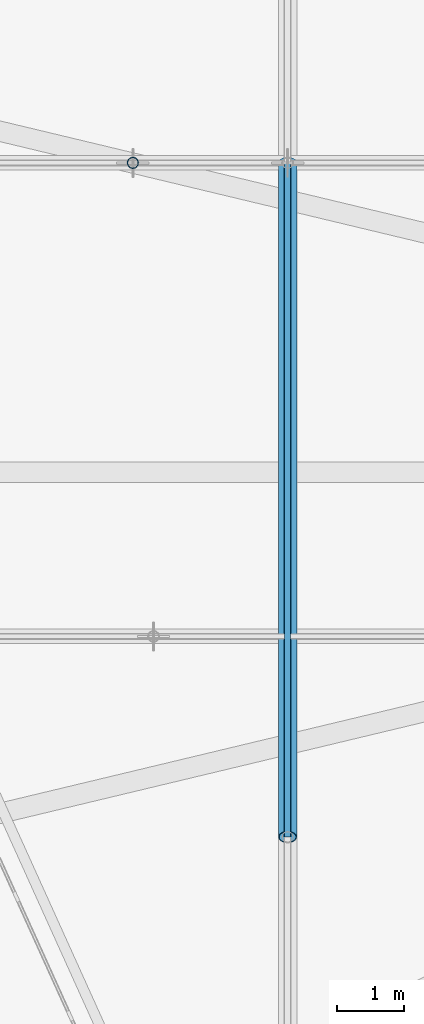
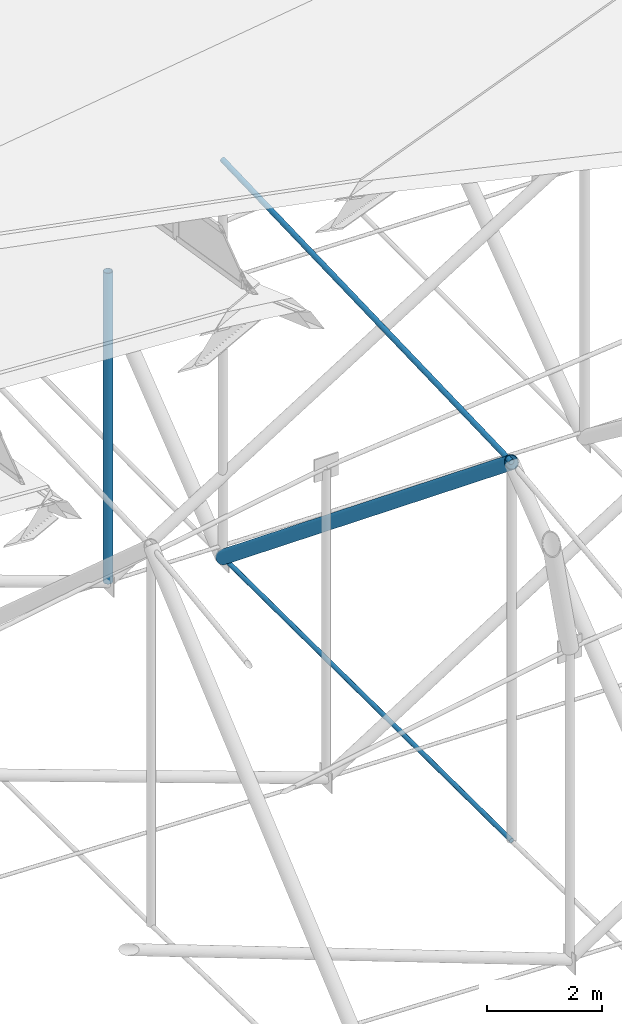
# One storey, part 40 of 173: 4 members.
"""IFC4 building model written with IfcOpenShell, lengths in metres."""

from ifc_helpers import new_model, si_unit, direction, frame, origin, origin_2d, place, context, subcontext, project, spatial, circle, hollow_circle, extrude, material, material_profile, profile_set, type_object, element, save


model = new_model("IFC4")

# Units and contexts
model_context = context("Model", 3, precision=1e-05, world=origin(), true_north=direction((0.0, 1.0)))
body_context = subcontext(model_context, "Body", "Model", "MODEL_VIEW")
ifc_project = project(units=[si_unit("LENGTHUNIT", "METRE"), si_unit("AREAUNIT", "SQUARE_METRE"), si_unit("VOLUMEUNIT", "CUBIC_METRE"), si_unit("PLANEANGLEUNIT", "RADIAN"), si_unit("MASSUNIT", "GRAM", prefix="KILO")], contexts=[model_context])

# Site, building, storey
site_placement = place(None, origin())
site = spatial("IfcSite", under=ifc_project, at=site_placement, CompositionType="ELEMENT")
building_placement = place(site_placement, origin())
building = spatial("IfcBuilding", under=site, at=building_placement, Name="Glasvene Arena", CompositionType="ELEMENT")
storey_placement = place(building_placement, frame((0.0, 0.0, 28.800048828125)))
storey = spatial("IfcBuildingStorey", under=building, at=storey_placement, Name="RF", CompositionType="ELEMENT", Elevation=28.800048828125)

# Members
ifc_material_1 = material(Name="High-strength steel spiral strand S460", Category="steel")
ifc_material_profile_1 = material_profile(ifc_material_1, circle(Radius=0.052490234375, at=origin_2d()), Name="LCSS D105")
ifc_profile_set_1 = profile_set([ifc_material_profile_1], Name="High-strength steel spiral strand S460")
member_type_1 = type_object("IfcMemberType", Name="MB-CABLE-105", PredefinedType="USERDEFINED", material=ifc_profile_set_1)
member_1_placement = place(storey_placement, frame((69.300537109375, 62.976318359375, 5.6904296875), z_axis=(0.0, 0.999459854041, 0.032863355894), x_axis=(-1.0, 0.0, 0.0)))
element("IfcMember", 1, at=member_1_placement, inside=storey, type_object=member_type_1, Name="Upper lens roof cable NS08-04", ObjectType="ROOF CABLE", PredefinedType="USERDEFINED", context=body_context, shape_type="SweptSolid", body=[
    extrude(circle(Radius=0.052490234375, at=origin_2d()), origin(), (0.0, 0.0, 1.0), 10.029052734375),
])
ifc_material_profile_2 = material_profile(ifc_material_1, circle(Radius=0.044921875, at=origin_2d()), Name="LCSS D90")
ifc_profile_set_2 = profile_set([ifc_material_profile_2], Name="High-strength steel spiral strand S460")
member_type_2 = type_object("IfcMemberType", Name="MB-CABLE-90", PredefinedType="USERDEFINED", material=ifc_profile_set_2)
member_2_placement = place(storey_placement, frame((69.300537109375, 62.976318359375, -2.328125), z_axis=(0.0, 0.999974187932, -0.007184947401), x_axis=(-1.0, 0.0, 0.0)))
element("IfcMember", 2, at=member_2_placement, inside=storey, type_object=member_type_2, Name="Lower stabilization roof cable NS08-04", ObjectType="ROOF CABLE", PredefinedType="USERDEFINED", context=body_context, shape_type="SweptSolid", body=[
    extrude(circle(Radius=0.044921875, at=origin_2d()), origin(), (0.0, 0.0, 1.0), 10.02392578125),
])
ifc_material_2 = material(Name="Steel S355J2", Category="steel")
ifc_material_profile_3 = material_profile(ifc_material_2, hollow_circle(Radius=0.084228515625, WallThickness=0.008056640625, at=origin_2d()), Name="CHS 168.3x8.0")
ifc_profile_set_3 = profile_set([ifc_material_profile_3], Name="Steel S355J2")
member_type_3 = type_object("IfcMemberType", Name="MB-WEB-CHS168", PredefinedType="BRACE", material=ifc_profile_set_3)
member_3_placement = place(storey_placement, frame((67.0, 73.0, -2.112548828125), z_axis=(0.0, 0.0, 1.0), x_axis=(1.0, 0.0, 0.0)))
element("IfcMember", 3, at=member_3_placement, inside=storey, type_object=member_type_3, Name="Cable-truss vertical strut EW04-02", PredefinedType="BRACE", context=body_context, shape_type="SweptSolid", body=[
    extrude(hollow_circle(Radius=0.084228515625, WallThickness=0.008056640625, at=origin_2d()), origin(), (0.0, 0.0, 1.0), 6.58544921875),
])
ifc_material_profile_4 = material_profile(ifc_material_2, hollow_circle(Radius=0.136474609375, WallThickness=0.012451171875, at=origin_2d()), Name="CHS 273.0x12.5")
ifc_profile_set_4 = profile_set([ifc_material_profile_4], Name="Steel S355J2")
member_type_4 = type_object("IfcMemberType", Name="MB-WEB-CHS273", PredefinedType="BRACE", material=ifc_profile_set_4)
member_4_placement = place(storey_placement, frame((69.300537109375, 62.976318359375, 5.6904296875), z_axis=(0.0, 0.778148872918, -0.628079876748), x_axis=(-1.0, 0.0, 0.0)))
element("IfcMember", 4, at=member_4_placement, inside=storey, type_object=member_type_4, Name="Cable-truss diagonal web strut NS08-04", PredefinedType="BRACE", context=body_context, shape_type="SweptSolid", body=[
    extrude(hollow_circle(Radius=0.136474609375, WallThickness=0.012451171875, at=origin_2d()), origin(), (0.0, 0.0, 1.0), 12.88134765625),
])

save(model, "model.ifc")
